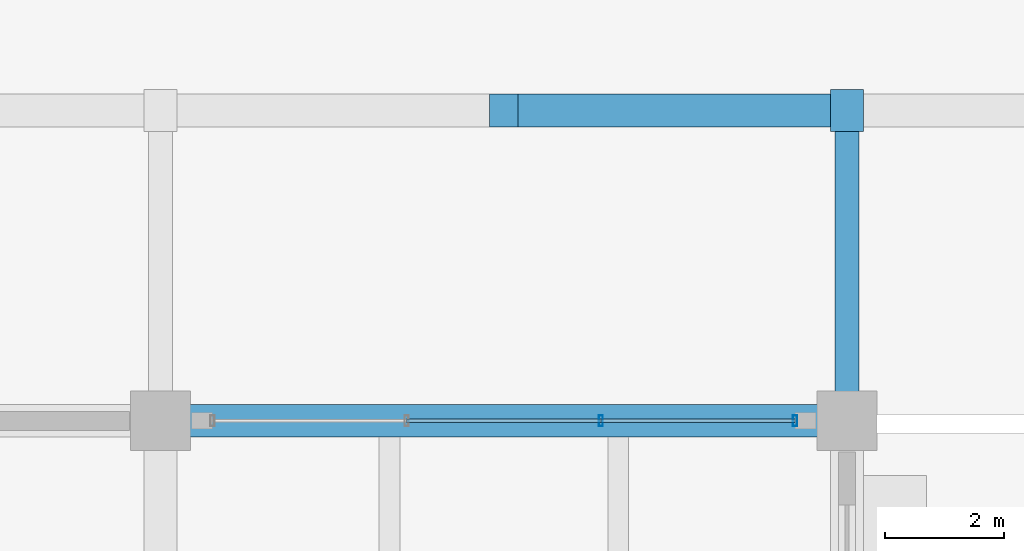
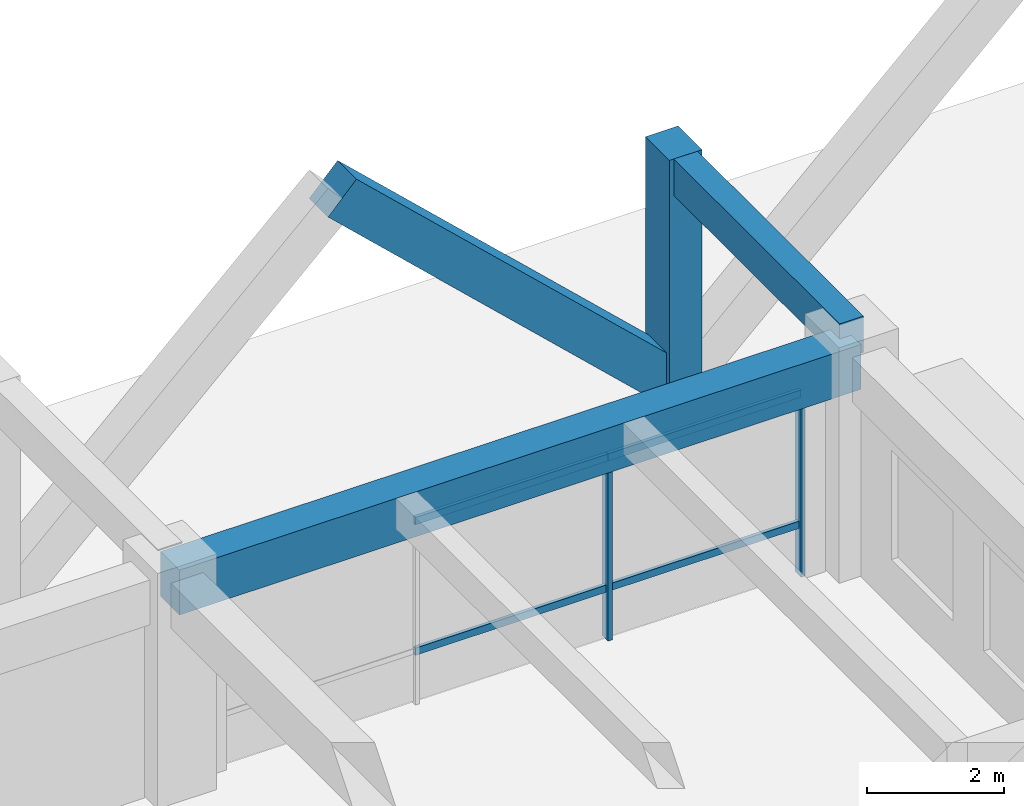
# One storey, part 35 of 109: 8 members, 2 beams, 1 element without a shape of its own.
"""IFC4 building model written with IfcOpenShell, lengths in metres."""

from ifc_helpers import new_model, si_unit, direction, frame, origin, origin_2d, place, context, subcontext, project, spatial, rectangle, hollow_rectangle, extrude, material, material_profile, profile_set, type_object, element, aggregate, save


model = new_model("IFC4")

# Units and contexts
model_context = context("Model", 3, precision=1e-05, world=origin(), true_north=direction((0.0, 1.0)))
body_context = subcontext(model_context, "Body", "Model", "MODEL_VIEW")
ifc_project = project(units=[si_unit("LENGTHUNIT", "METRE"), si_unit("AREAUNIT", "SQUARE_METRE"), si_unit("VOLUMEUNIT", "CUBIC_METRE"), si_unit("PLANEANGLEUNIT", "RADIAN"), si_unit("MASSUNIT", "GRAM", prefix="KILO")], contexts=[model_context])

# Site, building, storey
site_placement = place(None, origin())
site = spatial("IfcSite", under=ifc_project, at=site_placement, CompositionType="ELEMENT")
building_placement = place(site_placement, origin())
building = spatial("IfcBuilding", under=site, at=building_placement, Name="Ologun Quay Terminus", CompositionType="ELEMENT")
storey_placement = place(building_placement, origin())
storey = spatial("IfcBuildingStorey", under=building, at=storey_placement, Name="L00", CompositionType="ELEMENT", Elevation=0.0)

# Beam
ifc_material_1 = material(Name="Concrete C40/50", Category="concrete")
ifc_material_profile_1 = material_profile(ifc_material_1, rectangle(XDim=0.550048828125, YDim=0.800048828125, at=origin_2d()), Name="RC 550x800")
ifc_profile_set_1 = profile_set([ifc_material_profile_1], Name="Concrete C40/50")
beam_type_1 = type_object("IfcBeamType", Name="Courtyard Wing Primary Girder 550x800", PredefinedType="BEAM", material=ifc_profile_set_1)
beam_1_placement = place(storey_placement, frame((34.5, 114.800048828125, 3.550048828125), z_axis=(1.0, 0.0, 0.0), x_axis=(0.0, 1.0, 0.0)))
element("IfcBeam", 1, at=beam_1_placement, inside=storey, type_object=beam_type_1, Name="B4 Beam 4/K L00", PredefinedType="BEAM", context=body_context, shape_type="SweptSolid", body=[
    extrude(rectangle(XDim=0.550048828125, YDim=0.800048828125, at=origin_2d()), origin(), (0.0, 0.0, 1.0), 11.5),
])

# Curtain wall, members
ifc_material_2 = material(Name="Aluminium 6063-T6", Category="aluminium")
curtain_wall_type = type_object("IfcCurtainWallType", Name="Waterfront Pavilion Harbour Curtain Wall L00 10500x3750", PredefinedType="USERDEFINED", material=ifc_material_2)
curtain_wall_placement = place(storey_placement, origin())
curtain_wall = element("IfcCurtainWall", 2, at=curtain_wall_placement, inside=storey, type_object=curtain_wall_type, Name="CW-22 Curtain Wall CW-L00-096", ObjectType="UNITISED CURTAIN WALL", PredefinedType="USERDEFINED")
ifc_material_3 = material(Name="Aluminium 6063-T6", Category="aluminium")
ifc_material_profile_2 = material_profile(ifc_material_3, hollow_rectangle(XDim=0.070068359375, YDim=0.179931640625, WallThickness=0.0048828125, at=origin_2d()), Name="ALU 180x70x5")
ifc_profile_set_2 = profile_set([ifc_material_profile_2], Name="Aluminium 6063-T6")
member_type_1 = type_object("IfcMemberType", Name="Curtain Wall Heavy Mullion 180x70", PredefinedType="MULLION", material=ifc_profile_set_2)
member_1_placement = place(storey_placement, frame((41.876708984375, 114.800048828125, 0.0), z_axis=(0.0, 0.0, 1.0), x_axis=(1.0, 0.0, 0.0)))
member_1 = element("IfcMember", 3, at=member_1_placement, type_object=member_type_1, Name="CW-L00-096 Mullion 3", PredefinedType="MULLION", context=body_context, shape_type="SweptSolid", body=[
    extrude(hollow_rectangle(XDim=0.070068359375, YDim=0.179931640625, WallThickness=0.0048828125, at=origin_2d()), origin(), (0.0, 0.0, 1.0), 3.929931640625),
])
member_2_placement = place(storey_placement, frame((45.1298828125, 114.800048828125, 0.0), z_axis=(0.0, 0.0, 1.0), x_axis=(1.0, 0.0, 0.0)))
member_2 = element("IfcMember", 4, at=member_2_placement, type_object=member_type_1, Name="CW-L00-096 Mullion 4", PredefinedType="MULLION", context=body_context, shape_type="SweptSolid", body=[
    extrude(hollow_rectangle(XDim=0.070068359375, YDim=0.179931640625, WallThickness=0.0048828125, at=origin_2d()), origin(), (0.0, 0.0, 1.0), 3.929931640625),
])
ifc_material_4 = material(Name="Aluminium 6063-T6", Category="aluminium")
ifc_material_profile_3 = material_profile(ifc_material_4, hollow_rectangle(XDim=0.06005859375, YDim=0.1298828125, WallThickness=0.00390625, at=origin_2d()), Name="ALU 130x60x4")
ifc_profile_set_3 = profile_set([ifc_material_profile_3], Name="Aluminium 6063-T6")
member_type_2 = type_object("IfcMemberType", Name="Curtain Wall Heavy Transom 130x60", PredefinedType="USERDEFINED", material=ifc_profile_set_3)
member_3_placement = place(storey_placement, frame((38.623291015625, 114.800048828125, 0.89990234375), z_axis=(1.0, 0.0, 0.0), x_axis=(0.0, 1.0, 0.0)))
member_3 = element("IfcMember", 5, at=member_3_placement, type_object=member_type_2, Name="CW-L00-096 Transom B2-1", ObjectType="TRANSOM", PredefinedType="USERDEFINED", context=body_context, shape_type="SweptSolid", body=[
    extrude(hollow_rectangle(XDim=0.06005859375, YDim=0.1298828125, WallThickness=0.00390625, at=origin_2d()), origin(), (0.0, 0.0, 1.0), 3.25341796875),
])
member_4_placement = place(storey_placement, frame((38.623291015625, 114.800048828125, 3.22998046875), z_axis=(1.0, 0.0, 0.0), x_axis=(0.0, 1.0, 0.0)))
member_4 = element("IfcMember", 6, at=member_4_placement, type_object=member_type_2, Name="CW-L00-096 Transom B2-2", ObjectType="TRANSOM", PredefinedType="USERDEFINED", context=body_context, shape_type="SweptSolid", body=[
    extrude(hollow_rectangle(XDim=0.06005859375, YDim=0.1298828125, WallThickness=0.00390625, at=origin_2d()), origin(), (0.0, 0.0, 1.0), 3.25341796875),
])
member_5_placement = place(storey_placement, frame((41.876708984375, 114.800048828125, 0.89990234375), z_axis=(1.0, 0.0, 0.0), x_axis=(0.0, 1.0, 0.0)))
member_5 = element("IfcMember", 7, at=member_5_placement, type_object=member_type_2, Name="CW-L00-096 Transom B3-1", ObjectType="TRANSOM", PredefinedType="USERDEFINED", context=body_context, shape_type="SweptSolid", body=[
    extrude(hollow_rectangle(XDim=0.06005859375, YDim=0.1298828125, WallThickness=0.00390625, at=origin_2d()), origin(), (0.0, 0.0, 1.0), 3.253173828125),
])
member_6_placement = place(storey_placement, frame((41.876708984375, 114.800048828125, 3.22998046875), z_axis=(1.0, 0.0, 0.0), x_axis=(0.0, 1.0, 0.0)))
member_6 = element("IfcMember", 8, at=member_6_placement, type_object=member_type_2, Name="CW-L00-096 Transom B3-2", ObjectType="TRANSOM", PredefinedType="USERDEFINED", context=body_context, shape_type="SweptSolid", body=[
    extrude(hollow_rectangle(XDim=0.06005859375, YDim=0.1298828125, WallThickness=0.00390625, at=origin_2d()), origin(), (0.0, 0.0, 1.0), 3.253173828125),
])
aggregate(curtain_wall, [member_1, member_2, member_3, member_4, member_5, member_6])

# Members
ifc_material_5 = material(Name="Concrete C45/55", Category="concrete")
ifc_material_profile_4 = material_profile(ifc_material_5, rectangle(XDim=0.550048828125, YDim=0.699951171875, at=origin_2d()), Name="RC 550x700")
ifc_profile_set_4 = profile_set([ifc_material_profile_4], Name="Concrete C45/55")
member_type_3 = type_object("IfcMemberType", Name="Folded Canopy Concrete V-Strut 550x700", PredefinedType="STRUT", material=ifc_profile_set_4)
member_7_placement = place(storey_placement, frame((46.0, 120.0, 0.0), z_axis=(0.0, 0.0, 1.0), x_axis=(1.0, 0.0, 0.0)))
element("IfcMember", 9, at=member_7_placement, inside=storey, type_object=member_type_3, Name="VS2 Harbour Colonnade Pier 5/L", PredefinedType="STRUT", context=body_context, shape_type="SweptSolid", body=[
    extrude(rectangle(XDim=0.550048828125, YDim=0.699951171875, at=origin_2d()), origin(), (0.0, 0.0, 1.0), 4.219970703125),
])
member_8_placement = place(storey_placement, frame((46.0, 120.0, 0.0), z_axis=(-0.727684573488, 0.0, 0.685911919643), x_axis=(0.0, -1.0, 0.0)))
element("IfcMember", 10, at=member_8_placement, inside=storey, type_object=member_type_3, Name="VS2 Colonnade Strut 5/L-W", PredefinedType="STRUT", context=body_context, shape_type="SweptSolid", body=[
    extrude(rectangle(XDim=0.550048828125, YDim=0.699951171875, at=origin_2d()), origin(), (0.0, 0.0, 1.0), 7.90185546875),
])

# Beam
ifc_material_6 = material(Name="Concrete C40/50", Category="concrete")
ifc_material_profile_5 = material_profile(ifc_material_6, rectangle(XDim=0.39990234375, YDim=0.64990234375, at=origin_2d()), Name="RC 400x650")
ifc_profile_set_5 = profile_set([ifc_material_profile_5], Name="Concrete C40/50")
beam_type_2 = type_object("IfcBeamType", Name="Station Secondary Joist 400x650", PredefinedType="JOIST", material=ifc_profile_set_5)
beam_2_placement = place(storey_placement, frame((46.0, 114.800048828125, 3.89501953125), z_axis=(0.0, 1.0, 0.0), x_axis=(-1.0, 0.0, 0.0)))
element("IfcBeam", 11, at=beam_2_placement, inside=storey, type_object=beam_type_2, Name="J1 Beam 5/L L00", PredefinedType="JOIST", context=body_context, shape_type="SweptSolid", body=[
    extrude(rectangle(XDim=0.39990234375, YDim=0.64990234375, at=origin_2d()), origin(), (0.0, 0.0, 1.0), 5.199951171875),
])

save(model, "model.ifc")
